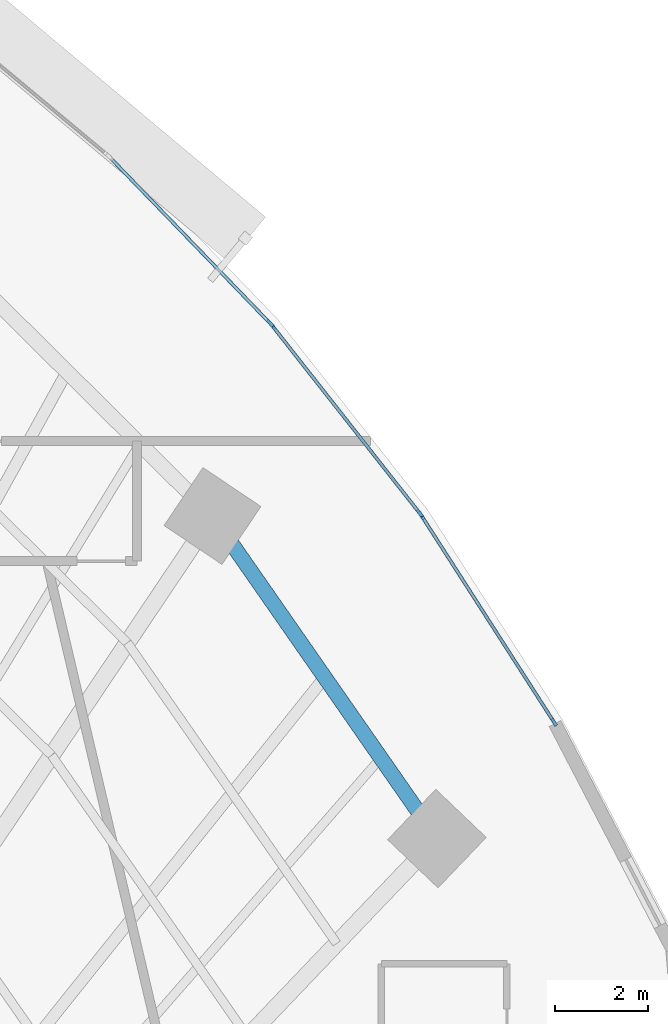
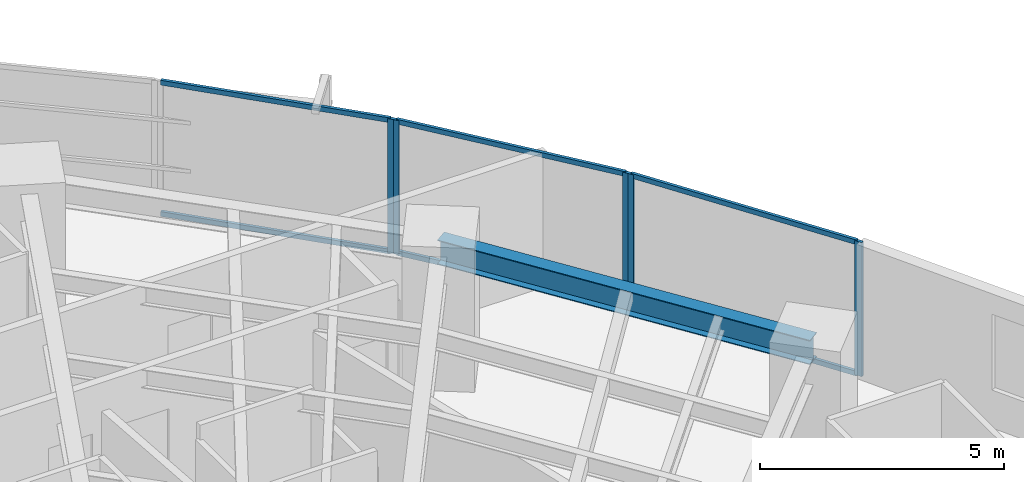
# One storey, part 8 of 17: 11 members, 1 beam, 3 elements without a shape of their own.
"""IFC4 building model written with IfcOpenShell, lengths in metres."""

from ifc_helpers import new_model, si_unit, direction, frame, origin, origin_2d, place, context, subcontext, project, spatial, rectangle, i_section, extrude, source, transform, mapped, material, layer, layer_set, material_profile, profile_set, type_object, element, aggregate, save


model = new_model("IFC4")

# Units and contexts
model_context = context("Model", 3, precision=1e-05, world=origin(), true_north=direction((0.0, 1.0)))
body_context = subcontext(model_context, "Body", "Model", "MODEL_VIEW")
ifc_project = project(units=[si_unit("LENGTHUNIT", "METRE"), si_unit("AREAUNIT", "SQUARE_METRE"), si_unit("VOLUMEUNIT", "CUBIC_METRE"), si_unit("PLANEANGLEUNIT", "RADIAN"), si_unit("MASSUNIT", "GRAM", prefix="KILO")], contexts=[model_context])

# Site, building, storey
site_placement = place(None, origin())
site = spatial("IfcSite", under=ifc_project, at=site_placement, CompositionType="ELEMENT")
building_placement = place(site_placement, origin())
building = spatial("IfcBuilding", under=site, at=building_placement, Name="Breltana Convention Tower", CompositionType="ELEMENT")
storey_placement = place(building_placement, frame((0.0, 0.0, 78.60009765625)))
storey = spatial("IfcBuildingStorey", under=building, at=storey_placement, Name="L18", CompositionType="ELEMENT", Elevation=78.60009765625)

# Beam
ifc_material_1 = material(Name="Steel ASTM A992 Grade 50", Category="steel")
ifc_material_profile_1 = material_profile(ifc_material_1, i_section(OverallWidth=0.323974609375, OverallDepth=0.611083984375, WebThickness=0.0126953125, FlangeThickness=0.01904296875, at=origin_2d()), Name="W24X104")
ifc_profile_set_1 = profile_set([ifc_material_profile_1], Name="Steel ASTM A992 Grade 50")
beam_type = type_object("IfcBeamType", Name="BM-SP-W24X104", PredefinedType="SPANDREL", material=ifc_profile_set_1)
shared_shape_1 = source(origin(), body_context, "Body", "SweptSolid", [
    extrude(i_section(OverallWidth=0.323974609375, OverallDepth=0.611083984375, WebThickness=0.0126953125, FlangeThickness=0.01904296875, at=origin_2d()), origin(), (0.0, 0.0, 1.0), 8.44970703125),
])
beam_placement = place(storey_placement, frame((75.166748046875, 62.43017578125, 3.054443359375), z_axis=(0.5711855381, -0.820820979913, 0.0), x_axis=(0.820820979913, 0.5711855381, 0.0)))
element("IfcBeam", 1, at=beam_placement, inside=storey, type_object=beam_type, Name="L18 Outer Spandrel Beam 10", PredefinedType="SPANDREL", context=body_context, shape_type="MappedRepresentation", body=[
    mapped(shared_shape_1, transform((0.0, 0.0, 0.0), scale=1.0)),
])

# Curtain wall, members
ifc_material_2 = material(Name="Aluminium Anodised Bronze Frame", Category="aluminium")
ifc_layer = layer(ifc_material_2, 0.199951171875, Name="Aluminium Anodised Bronze Frame")
ifc_layer_set = layer_set([ifc_layer], Name="Aluminium Anodised Bronze Frame")
curtain_wall_type = type_object("IfcCurtainWallType", Name="CW-SYS-2", PredefinedType="NOTDEFINED", material=ifc_layer_set)
curtain_wall_1_placement = place(storey_placement, origin())
curtain_wall_1 = element("IfcCurtainWall", 2, at=curtain_wall_1_placement, inside=storey, type_object=curtain_wall_type, Name="L18 outer double-skin inner glazing 17", PredefinedType="NOTDEFINED")
ifc_material_3 = material(Name="Aluminium Anodised Bronze", Category="aluminium")
ifc_material_profile_2 = material_profile(ifc_material_3, rectangle(XDim=0.070068359375, YDim=0.1201171875, at=origin_2d()), Name="CWT-70X120")
ifc_profile_set_2 = profile_set([ifc_material_profile_2], Name="Aluminium Anodised Bronze")
member_type_1 = type_object("IfcMemberType", Name="CWT-120", PredefinedType="USERDEFINED", material=ifc_profile_set_2)
shared_shape_2 = source(origin(), body_context, "Body", "SweptSolid", [
    extrude(rectangle(XDim=0.070068359375, YDim=0.1201171875, at=origin_2d()), origin(), (0.0, 0.0, 1.0), 5.0546875),
])
member_1_placement = place(storey_placement, frame((76.4765625, 66.491455078125, 0.034912109375), z_axis=(0.618135067667, -0.786071903913, 0.0), x_axis=(0.786071903913, 0.618135067667, 0.0)))
member_1 = element("IfcMember", 3, at=member_1_placement, type_object=member_type_1, Name="CW-02 transom 1.1", ObjectType="TRANSOM", PredefinedType="USERDEFINED", context=body_context, shape_type="MappedRepresentation", body=[
    mapped(shared_shape_2, transform((0.0, 0.0, 0.0), scale=1.0)),
])
member_2_placement = place(storey_placement, frame((76.4765625, 66.491455078125, 3.324951171875), z_axis=(0.618135067667, -0.786071903913, 0.0), x_axis=(0.786071903913, 0.618135067667, 0.0)))
member_2 = element("IfcMember", 4, at=member_2_placement, type_object=member_type_1, Name="CW-02 transom 1.2", ObjectType="TRANSOM", PredefinedType="USERDEFINED", context=body_context, shape_type="MappedRepresentation", body=[
    mapped(shared_shape_2, transform((0.0, 0.0, 0.0), scale=1.0)),
])

curtain_wall_2_placement = place(storey_placement, origin())
curtain_wall_2 = element("IfcCurtainWall", 5, at=curtain_wall_2_placement, inside=storey, type_object=curtain_wall_type, Name="L18 outer double-skin inner glazing 16", PredefinedType="NOTDEFINED")
shared_shape_3 = source(origin(), body_context, "Body", "SweptSolid", [
    extrude(rectangle(XDim=0.070068359375, YDim=0.1201171875, at=origin_2d()), origin(), (0.0, 0.0, 1.0), 4.901123046875),
])
member_3_placement = place(storey_placement, frame((72.980224609375, 70.12255859375, 0.034912109375), z_axis=(0.6945945137, -0.719401460617, 0.0), x_axis=(0.719401460617, 0.6945945137, 0.0)))
member_3 = element("IfcMember", 6, at=member_3_placement, type_object=member_type_1, Name="CW-02 transom 1.1", ObjectType="TRANSOM", PredefinedType="USERDEFINED", context=body_context, shape_type="MappedRepresentation", body=[
    mapped(shared_shape_3, transform((0.0, 0.0, 0.0), scale=1.0)),
])
member_4_placement = place(storey_placement, frame((72.980224609375, 70.12255859375, 3.324951171875), z_axis=(0.6945945137, -0.719401460617, 0.0), x_axis=(0.719401460617, 0.6945945137, 0.0)))
member_4 = element("IfcMember", 7, at=member_4_placement, type_object=member_type_1, Name="CW-02 transom 1.2", ObjectType="TRANSOM", PredefinedType="USERDEFINED", context=body_context, shape_type="MappedRepresentation", body=[
    mapped(shared_shape_3, transform((0.0, 0.0, 0.0), scale=1.0)),
])

curtain_wall_3_placement = place(storey_placement, origin())
curtain_wall_3 = element("IfcCurtainWall", 8, at=curtain_wall_3_placement, inside=storey, type_object=curtain_wall_type, Name="L18 outer double-skin inner glazing 18", PredefinedType="NOTDEFINED")
shared_shape_4 = source(origin(), body_context, "Body", "SweptSolid", [
    extrude(rectangle(XDim=0.070068359375, YDim=0.1201171875, at=origin_2d()), origin(), (0.0, 0.0, 1.0), 5.205810546875),
])
member_5_placement = place(storey_placement, frame((79.68212890625, 62.404296875, 0.034912109375), z_axis=(0.540179102764, -0.841550079875, 0.0), x_axis=(0.841550079875, 0.540179102764, 0.0)))
member_5 = element("IfcMember", 9, at=member_5_placement, type_object=member_type_1, Name="CW-02 transom 1.1", ObjectType="TRANSOM", PredefinedType="USERDEFINED", context=body_context, shape_type="MappedRepresentation", body=[
    mapped(shared_shape_4, transform((0.0, 0.0, 0.0), scale=1.0)),
])
member_6_placement = place(storey_placement, frame((79.68212890625, 62.404296875, 3.324951171875), z_axis=(0.540179102764, -0.841550079875, 0.0), x_axis=(0.841550079875, 0.540179102764, 0.0)))
member_6 = element("IfcMember", 10, at=member_6_placement, type_object=member_type_1, Name="CW-02 transom 1.2", ObjectType="TRANSOM", PredefinedType="USERDEFINED", context=body_context, shape_type="MappedRepresentation", body=[
    mapped(shared_shape_4, transform((0.0, 0.0, 0.0), scale=1.0)),
])

# Member
ifc_material_profile_3 = material_profile(ifc_material_3, rectangle(XDim=0.070068359375, YDim=0.175048828125, at=origin_2d()), Name="CWM-70X175")
ifc_profile_set_3 = profile_set([ifc_material_profile_3], Name="Aluminium Anodised Bronze")
member_type_2 = type_object("IfcMemberType", Name="CWM-175", PredefinedType="MULLION", material=ifc_profile_set_3)
shared_shape_5 = source(origin(), body_context, "Body", "SweptSolid", [
    extrude(rectangle(XDim=0.070068359375, YDim=0.175048828125, at=origin_2d()), origin(), (0.0, 0.0, 1.0), 3.35986328125),
])
member_7_placement = place(storey_placement, frame((76.408935546875, 66.571533203125, 0.0), z_axis=(0.0, 0.0, 1.0), x_axis=(0.719386421003, 0.694610090106, 0.0)))
member_7 = element("IfcMember", 11, at=member_7_placement, type_object=member_type_2, Name="CW-02 mullion 2", PredefinedType="MULLION", context=body_context, shape_type="MappedRepresentation", body=[
    mapped(shared_shape_5, transform((0.0, 0.0, 0.0), scale=1.0)),
])

aggregate(curtain_wall_2, [member_7, member_3, member_4])

member_8_placement = place(storey_placement, frame((76.454833984375, 66.518798828125, 0.0), z_axis=(0.0, 0.0, 1.0), x_axis=(0.786057080698, 0.618153917633, 0.0)))
member_8 = element("IfcMember", 12, at=member_8_placement, type_object=member_type_2, Name="CW-02 mullion 1", PredefinedType="MULLION", context=body_context, shape_type="MappedRepresentation", body=[
    mapped(shared_shape_5, transform((0.0, 0.0, 0.0), scale=1.0)),
])

member_9_placement = place(storey_placement, frame((79.62255859375, 62.49072265625, 0.0), z_axis=(0.0, 0.0, 1.0), x_axis=(0.786057080698, 0.618153917633, 0.0)))
member_9 = element("IfcMember", 13, at=member_9_placement, type_object=member_type_2, Name="CW-02 mullion 2", PredefinedType="MULLION", context=body_context, shape_type="MappedRepresentation", body=[
    mapped(shared_shape_5, transform((0.0, 0.0, 0.0), scale=1.0)),
])

aggregate(curtain_wall_1, [member_8, member_9, member_1, member_2])

member_10_placement = place(storey_placement, frame((79.6630859375, 62.43359375, 0.0), z_axis=(0.0, 0.0, 1.0), x_axis=(0.841549039154, 0.540180724109, 0.0)))
member_10 = element("IfcMember", 14, at=member_10_placement, type_object=member_type_2, Name="CW-02 mullion 1", PredefinedType="MULLION", context=body_context, shape_type="MappedRepresentation", body=[
    mapped(shared_shape_5, transform((0.0, 0.0, 0.0), scale=1.0)),
])

member_11_placement = place(storey_placement, frame((82.512939453125, 57.993896484375, 0.0), z_axis=(0.0, 0.0, 1.0), x_axis=(0.841549039154, 0.540180724109, 0.0)))
member_11 = element("IfcMember", 15, at=member_11_placement, type_object=member_type_2, Name="CW-02 mullion 2", PredefinedType="MULLION", context=body_context, shape_type="MappedRepresentation", body=[
    mapped(shared_shape_5, transform((0.0, 0.0, 0.0), scale=1.0)),
])

aggregate(curtain_wall_3, [member_10, member_11, member_5, member_6])

save(model, "model.ifc")
